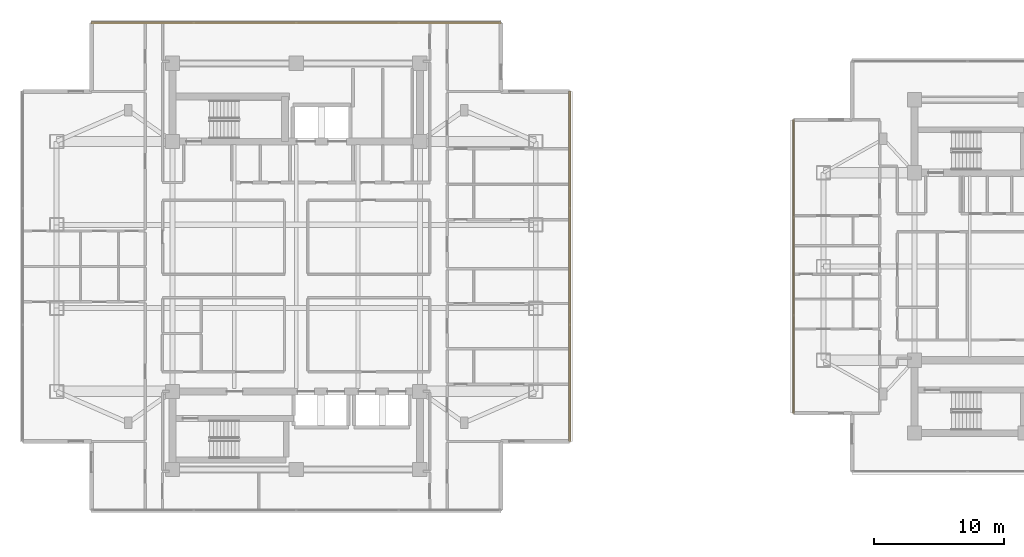
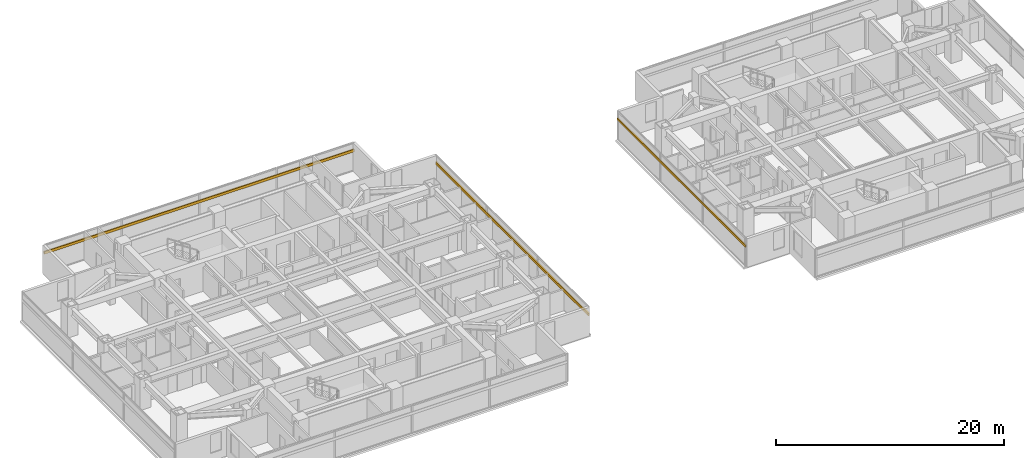
# One storey, part 22 of 25: 3 shading devices.
"""IFC4 building model written with IfcOpenShell, lengths in metres."""

from ifc_helpers import new_model, si_unit, direction, frame, origin, origin_2d, place, context, subcontext, project, spatial, rectangle, extrude, material, material_profile, profile_set, type_object, element, save


model = new_model("IFC4")

# Units and contexts
model_context = context("Model", 3, precision=1e-05, world=origin(), true_north=direction((0.0, 1.0)))
body_context = subcontext(model_context, "Body", "Model", "MODEL_VIEW")
ifc_project = project(units=[si_unit("LENGTHUNIT", "METRE"), si_unit("AREAUNIT", "SQUARE_METRE"), si_unit("VOLUMEUNIT", "CUBIC_METRE"), si_unit("PLANEANGLEUNIT", "RADIAN"), si_unit("MASSUNIT", "GRAM", prefix="KILO")], contexts=[model_context])

# Site, building, storey
site_placement = place(None, origin())
site = spatial("IfcSite", under=ifc_project, at=site_placement, CompositionType="ELEMENT")
building_placement = place(site_placement, origin())
building = spatial("IfcBuilding", under=site, at=building_placement, Name="Mirazonda Arch Towers", CompositionType="ELEMENT")
storey_placement = place(building_placement, frame((0.0, 0.0, 131.300048828125)))
storey = spatial("IfcBuildingStorey", under=building, at=storey_placement, Name="L37", CompositionType="ELEMENT", Elevation=131.300048828125)

# Shading devices
ifc_material = material(Name="Kiln-Fired Architectural Terracotta", Category="masonry")
ifc_material_profile_1 = material_profile(ifc_material, rectangle(XDim=0.1201171875, YDim=0.239990234375, at=origin_2d()), Name="TERRA-BAG-120x240")
ifc_profile_set_1 = profile_set([ifc_material_profile_1], Name="Kiln-Fired Architectural Terracotta")
shading_device_type_1 = type_object("IfcShadingDeviceType", Name="BAGUETTE-1", PredefinedType="USERDEFINED", material=ifc_profile_set_1)
shading_device_1_placement = place(storey_placement, frame((58.702880859375, 39.265625, 2.203125), z_axis=(0.0, -1.0, 0.0), x_axis=(1.0, 0.0, 0.0)))
element("IfcShadingDevice", 1, at=shading_device_1_placement, inside=storey, type_object=shading_device_type_1, Name="L37 Glazed Terracotta Sun-Screen Baguette CW-L37-T2-W", ObjectType="BAGUETTE", PredefinedType="USERDEFINED", context=body_context, shape_type="SweptSolid", body=[
    extrude(rectangle(XDim=0.1201171875, YDim=0.239990234375, at=origin_2d()), origin(), (0.0, 0.0, 1.0), 22.53125),
])
ifc_material_profile_2 = material_profile(ifc_material, rectangle(XDim=0.139892578125, YDim=0.280029296875, at=origin_2d()), Name="TERRA-BAG-140x280")
ifc_profile_set_2 = profile_set([ifc_material_profile_2], Name="Kiln-Fired Architectural Terracotta")
shading_device_type_2 = type_object("IfcShadingDeviceType", Name="BAGUETTE-3", PredefinedType="USERDEFINED", material=ifc_profile_set_2)
shading_device_2_placement = place(storey_placement, frame((41.5, 14.55810546875, 2.203125), z_axis=(0.0, 1.0, 0.0), x_axis=(-1.0, 0.0, 0.0)))
element("IfcShadingDevice", 2, at=shading_device_2_placement, inside=storey, type_object=shading_device_type_2, Name="L37 Glazed Terracotta Sun-Screen Baguette CW-L37-T1-E", ObjectType="BAGUETTE", PredefinedType="USERDEFINED", context=body_context, shape_type="SweptSolid", body=[
    extrude(rectangle(XDim=0.139892578125, YDim=0.280029296875, at=origin_2d()), origin(), (0.0, 0.0, 1.0), 26.8837890625),
])
shading_device_3_placement = place(storey_placement, frame((4.77001953125, 46.7119140625, 2.203125), z_axis=(1.0, 0.0, 0.0), x_axis=(0.0, 1.0, 0.0)))
element("IfcShadingDevice", 3, at=shading_device_3_placement, inside=storey, type_object=shading_device_type_2, Name="L37 Glazed Terracotta Sun-Screen Baguette CW-L37-T1-N", ObjectType="BAGUETTE", PredefinedType="USERDEFINED", context=body_context, shape_type="SweptSolid", body=[
    extrude(rectangle(XDim=0.139892578125, YDim=0.280029296875, at=origin_2d()), origin(), (0.0, 0.0, 1.0), 31.4599609375),
])

save(model, "model.ifc")
